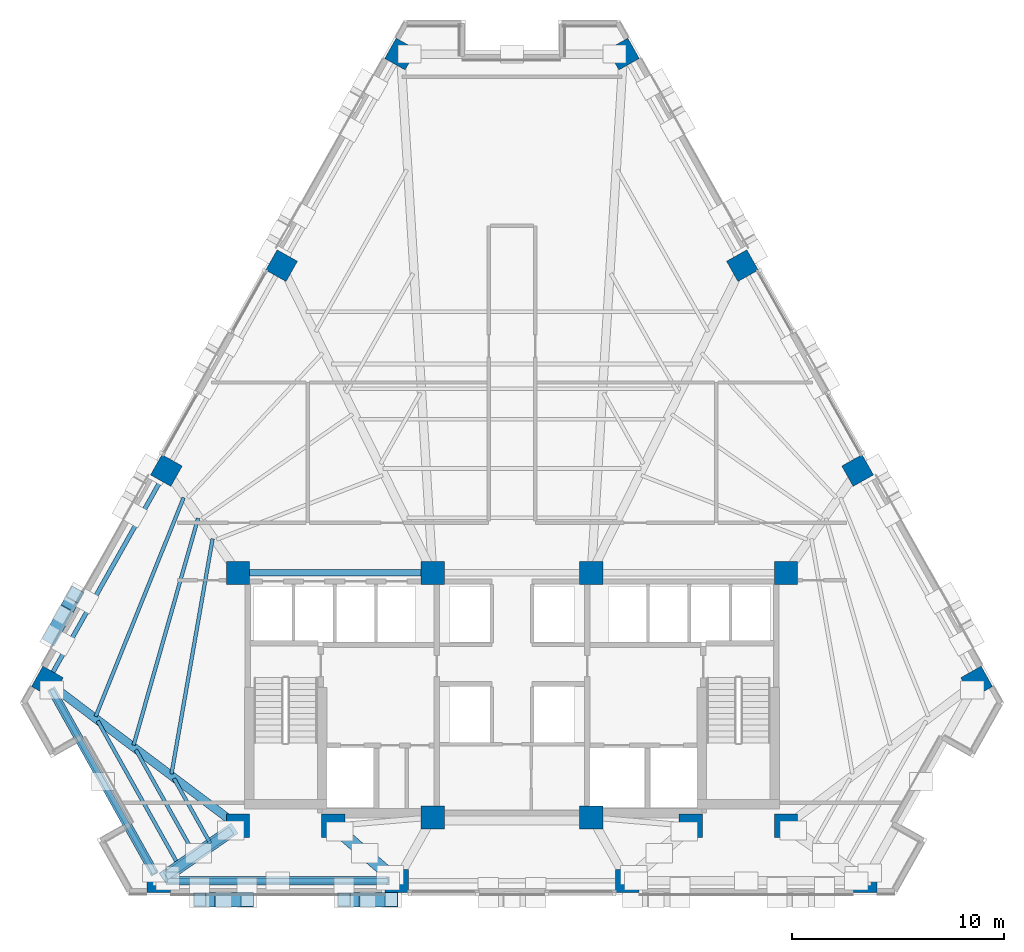
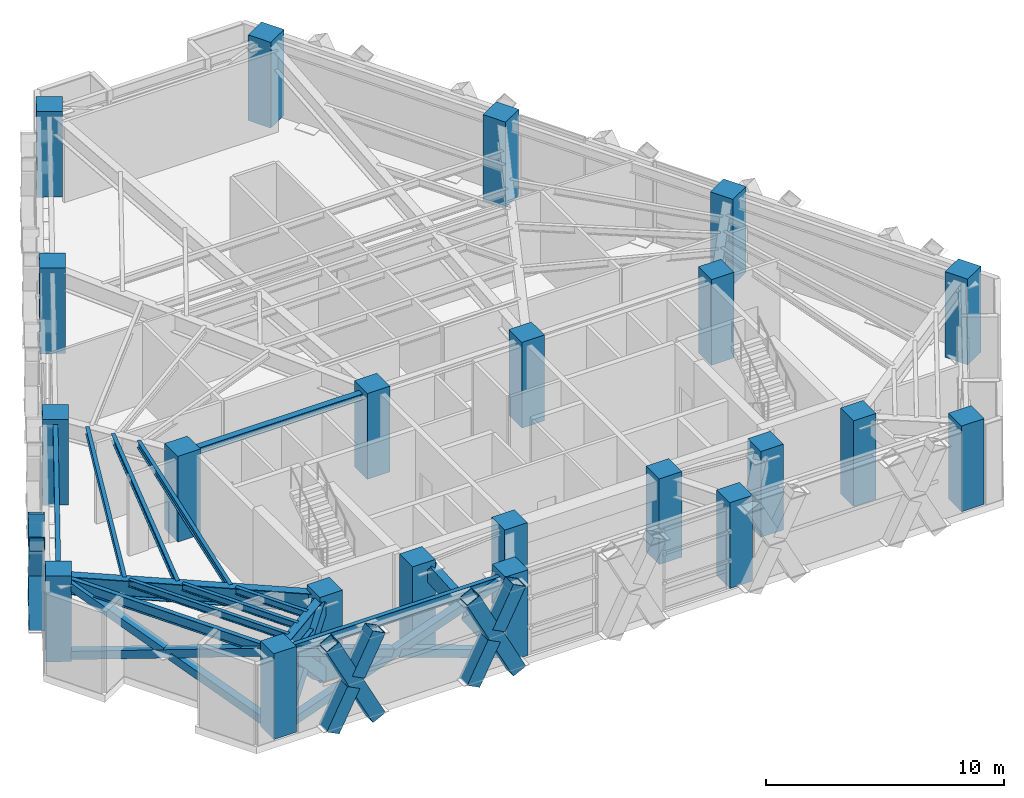
# One storey, part 1 of 12: 22 columns, 20 members, 12 beams.
"""IFC4 building model written with IfcOpenShell, lengths in metres."""

from ifc_helpers import new_model, si_unit, direction, frame, origin, origin_2d, place, context, subcontext, project, spatial, rectangle, hollow_rectangle, i_section, extrude, material, material_profile, profile_set, type_object, element, save


model = new_model("IFC4")

# Units and contexts
model_context = context("Model", 3, precision=1e-05, world=origin(), true_north=direction((0.0, 1.0)))
body_context = subcontext(model_context, "Body", "Model", "MODEL_VIEW")
ifc_project = project(units=[si_unit("LENGTHUNIT", "METRE"), si_unit("AREAUNIT", "SQUARE_METRE"), si_unit("VOLUMEUNIT", "CUBIC_METRE"), si_unit("PLANEANGLEUNIT", "RADIAN"), si_unit("MASSUNIT", "GRAM", prefix="KILO")], contexts=[model_context])

# Site, building, storey
site_placement = place(None, origin())
site = spatial("IfcSite", under=ifc_project, at=site_placement, CompositionType="ELEMENT")
building_placement = place(site_placement, origin())
building = spatial("IfcBuilding", under=site, at=building_placement, Name="Quenlor Broadcast Tower", CompositionType="ELEMENT")
storey_placement = place(building_placement, frame((0.0, 0.0, 90.60009765625)))
storey = spatial("IfcBuildingStorey", under=building, at=storey_placement, Name="L24", CompositionType="ELEMENT", Elevation=90.60009765625)

# Columns
ifc_material_1 = material(Name="Concrete C65/80", Category="concrete")
ifc_material_profile_1 = material_profile(ifc_material_1, rectangle(XDim=1.10009765625, YDim=1.10009765625, at=origin_2d()))
ifc_profile_set_1 = profile_set([ifc_material_profile_1], Name="Concrete C65/80 RC1100x1100")
column_type_1 = type_object("IfcColumnType", Name="Core Corner Column Mid Concrete C65/80 1100", PredefinedType="COLUMN", material=ifc_profile_set_1)
for number, where, z_axis, x_axis, name in (
    (1, (-12.949951171875, -16.75, 0.0), (0.0, 0.0, 1.0), (1.0, 0.0, 0.0), "L24 Core Column CC1"),
    (2, (-8.449951171875, -16.75, 0.0), (0.0, 0.0, 1.0), (1.0, 0.0, 0.0), "L24 Core Column CC2"),
    (3, (-3.75, -16.35009765625, 0.0), (0.0, 0.0, 1.0), (1.0, 0.0, 0.0), "L24 Core Column CC3"),
    (4, (3.75, -16.35009765625, 0.0), (0.0, 0.0, 1.0), (1.0, 0.0, 0.0), "L24 Core Column CC4"),
    (5, (8.449951171875, -16.75, 0.0), (0.0, 0.0, 1.0), (1.0, 0.0, 0.0), "L24 Core Column CC5"),
    (6, (12.949951171875, -16.75, 0.0), (0.0, 0.0, 1.0), (1.0, 0.0, 0.0), "L24 Core Column CC6"),
    (7, (-12.949951171875, -4.800048828125, 0.0), (0.0, 0.0, 1.0), (1.0, 0.0, 0.0), "L24 Core Column CC7"),
    (8, (-3.75, -4.800048828125, 0.0), (0.0, 0.0, 1.0), (1.0, 0.0, 0.0), "L24 Core Column CC8"),
    (9, (3.75, -4.800048828125, 0.0), (0.0, 0.0, 1.0), (1.0, 0.0, 0.0), "L24 Core Column CC9"),
    (10, (12.949951171875, -4.800048828125, 0.0), (0.0, 0.0, 1.0), (1.0, 0.0, 0.0), "L24 Core Column CC10"),
):
    element("IfcColumn", number, at=place(storey_placement, frame(where, z_axis=z_axis, x_axis=x_axis)), inside=storey, type_object=column_type_1, Name=name, PredefinedType="COLUMN", context=body_context, shape_type="SweptSolid", body=[
        extrude(rectangle(XDim=1.10009765625, YDim=1.10009765625, at=origin_2d()), origin(), (0.0, 0.0, 1.0), 4.39990234375),
    ])
ifc_material_2 = material(Name="Concrete C65/80", Category="concrete")
ifc_material_profile_2 = material_profile(ifc_material_2, rectangle(XDim=1.10009765625, YDim=1.10009765625, at=origin_2d()))
ifc_profile_set_2 = profile_set([ifc_material_profile_2], Name="Concrete C65/80 RC1100x1100")
column_type_2 = type_object("IfcColumnType", Name="Tower Perimeter Column Z2 Concrete C65/80 1100", PredefinedType="COLUMN", material=ifc_profile_set_2)
for number, where, z_axis, x_axis, name in (
    (11, (-16.6923828125, -19.35009765625, 0.0), (0.0, 0.0, 1.0), (0.0, 1.0, 0.0), "L24 Perimeter Column S1"),
    (12, (-5.443115234375, -19.35009765625, 0.0), (0.0, 0.0, 1.0), (0.0, 1.0, 0.0), "L24 Perimeter Column S2"),
    (13, (5.443115234375, -19.35009765625, 0.0), (0.0, 0.0, 1.0), (0.0, 1.0, 0.0), "L24 Perimeter Column S3"),
    (14, (16.6923828125, -19.35009765625, 0.0), (0.0, 0.0, 1.0), (0.0, 1.0, 0.0), "L24 Perimeter Column S4"),
    (15, (21.95458984375, -9.95654296875, 0.0), (0.0, 0.0, 1.0), (0.871575139605, 0.490261946333, 0.0), "L24 Perimeter Column NE1"),
    (16, (16.330078125, 0.04296875, 0.0), (0.0, 0.0, 1.0), (0.871575139605, 0.490261946333, 0.0), "L24 Perimeter Column NE2"),
    (17, (10.886962890625, 9.7197265625, 0.0), (0.0, 0.0, 1.0), (0.871575139605, 0.490261946333, 0.0), "L24 Perimeter Column NE3"),
    (18, (5.26220703125, 19.718994140625, 0.0), (0.0, 0.0, 1.0), (0.871575139605, 0.490261946333, 0.0), "L24 Perimeter Column NE4"),
    (19, (-5.26220703125, 19.718994140625, 0.0), (0.0, 0.0, 1.0), (-0.871575139605, 0.490261946333, 0.0), "L24 Perimeter Column NW1"),
    (20, (-10.886962890625, 9.7197265625, 0.0), (0.0, 0.0, 1.0), (-0.871575139605, 0.490261946333, 0.0), "L24 Perimeter Column NW2"),
    (21, (-16.330078125, 0.04296875, 0.0), (0.0, 0.0, 1.0), (-0.871575139605, 0.490261946333, 0.0), "L24 Perimeter Column NW3"),
    (22, (-21.95458984375, -9.95654296875, 0.0), (0.0, 0.0, 1.0), (-0.871575139605, 0.490261946333, 0.0), "L24 Perimeter Column NW4"),
):
    element("IfcColumn", number, at=place(storey_placement, frame(where, z_axis=z_axis, x_axis=x_axis)), inside=storey, type_object=column_type_2, Name=name, PredefinedType="COLUMN", context=body_context, shape_type="SweptSolid", body=[
        extrude(rectangle(XDim=1.10009765625, YDim=1.10009765625, at=origin_2d()), origin(), (0.0, 0.0, 1.0), 4.39990234375),
    ])

# Members
ifc_material_3 = material(Name="Steel S355", Category="steel")
ifc_material_profile_3 = material_profile(ifc_material_3, hollow_rectangle(XDim=0.39990234375, YDim=0.39990234375, WallThickness=0.02197265625, at=origin_2d()))
ifc_profile_set_3 = profile_set([ifc_material_profile_3], Name="Steel S355 RHS400x400x22")
member_type_1 = type_object("IfcMemberType", Name="Belt Truss Diagonal Chord Steel S355 RHS400x22", PredefinedType="CHORD", material=ifc_profile_set_3)
member_1_placement = place(storey_placement, frame((-16.2724609375, -19.35009765625, 0.199951171875), z_axis=(0.941385713687, 0.0, 0.337332088698), x_axis=(0.0, 1.0, 0.0)))
element("IfcMember", 23, at=member_1_placement, inside=storey, type_object=member_type_1, Name="L24 Belt Truss Continuous Chord 1A", PredefinedType="CHORD", context=body_context, shape_type="SweptSolid", body=[
    extrude(hollow_rectangle(XDim=0.39990234375, YDim=0.39990234375, WallThickness=0.02197265625, at=origin_2d()), origin(), (0.0, 0.0, 1.0), 11.057373046875),
])
member_2_placement = place(storey_placement, frame((-16.2724609375, -19.35009765625, 3.929931640625), z_axis=(0.941381332152, 0.0, -0.337344315908), x_axis=(0.0, 1.0, 0.0)))
element("IfcMember", 24, at=member_2_placement, inside=storey, type_object=member_type_1, Name="L24 Belt Truss Split Chord 1B1", PredefinedType="CHORD", context=body_context, shape_type="SweptSolid", body=[
    extrude(hollow_rectangle(XDim=0.39990234375, YDim=0.39990234375, WallThickness=0.02197265625, at=origin_2d()), origin(), (0.0, 0.0, 1.0), 5.3388671875),
])
member_3_placement = place(storey_placement, frame((-10.888916015625, -19.35009765625, 2.000732421875), z_axis=(0.941390650506, 0.0, -0.337318311301), x_axis=(0.0, 1.0, 0.0)))
element("IfcMember", 25, at=member_3_placement, inside=storey, type_object=member_type_1, Name="L24 Belt Truss Split Chord 1B2", PredefinedType="CHORD", context=body_context, shape_type="SweptSolid", body=[
    extrude(hollow_rectangle(XDim=0.39990234375, YDim=0.39990234375, WallThickness=0.02197265625, at=origin_2d()), origin(), (0.0, 0.0, 1.0), 5.338623046875),
])
member_4_placement = place(storey_placement, frame((-21.74951171875, -10.322998046875, 0.199951171875), z_axis=(0.457514984103, -0.816680246871, 0.351729176628), x_axis=(0.872426742385, 0.48874490194, 0.0)))
element("IfcMember", 26, at=member_4_placement, inside=storey, type_object=member_type_1, Name="L24 Belt Truss Continuous Chord 12A", PredefinedType="CHORD", context=body_context, shape_type="SweptSolid", body=[
    extrude(hollow_rectangle(XDim=0.39990234375, YDim=0.39990234375, WallThickness=0.02197265625, at=origin_2d()), origin(), (0.0, 0.0, 1.0), 10.604736328125),
])
member_5_placement = place(storey_placement, frame((-21.74951171875, -10.322998046875, 3.929931640625), z_axis=(0.457538002026, -0.816653519742, -0.351761290358), x_axis=(0.87240943681, 0.488775791713, 0.0)))
element("IfcMember", 27, at=member_5_placement, inside=storey, type_object=member_type_1, Name="L24 Belt Truss Split Chord 12B1", PredefinedType="CHORD", context=body_context, shape_type="SweptSolid", body=[
    extrude(hollow_rectangle(XDim=0.39990234375, YDim=0.39990234375, WallThickness=0.02197265625, at=origin_2d()), origin(), (0.0, 0.0, 1.0), 5.1123046875),
])
member_6_placement = place(storey_placement, frame((-19.23681640625, -14.808349609375, 1.998046875), z_axis=(0.457527843612, -0.816683141785, -0.351705726772), x_axis=(0.872421623598, 0.488754039042, 0.0)))
element("IfcMember", 28, at=member_6_placement, inside=storey, type_object=member_type_1, Name="L24 Belt Truss Split Chord 12B2", PredefinedType="CHORD", context=body_context, shape_type="SweptSolid", body=[
    extrude(hollow_rectangle(XDim=0.39990234375, YDim=0.39990234375, WallThickness=0.02197265625, at=origin_2d()), origin(), (0.0, 0.0, 1.0), 5.112548828125),
])

# Beam
ifc_material_4 = material(Name="Steel S355", Category="steel")
ifc_material_profile_4 = material_profile(ifc_material_4, i_section(OverallWidth=0.306884765625, OverallDepth=0.314697265625, WebThickness=0.011962890625, FlangeThickness=0.018798828125, FilletRadius=0.0166015625, at=origin_2d()))
ifc_profile_set_4 = profile_set([ifc_material_profile_4], Name="Steel S355 310UC118")
beam_type_1 = type_object("IfcBeamType", Name="Core Tie Beam Steel S355 310UC118", PredefinedType="BEAM", material=ifc_profile_set_4)
beam_1_placement = place(storey_placement, frame((-12.590087890625, -4.800048828125, 3.99267578125), z_axis=(1.0, 0.0, 0.0), x_axis=(0.0, 1.0, 0.0)))
element("IfcBeam", 29, at=beam_1_placement, inside=storey, type_object=beam_type_1, Name="L24 Core Tie Beam 1", PredefinedType="BEAM", context=body_context, shape_type="SweptSolid", body=[
    extrude(i_section(OverallWidth=0.306884765625, OverallDepth=0.314697265625, WebThickness=0.011962890625, FlangeThickness=0.018798828125, FilletRadius=0.0166015625, at=origin_2d()), origin(), (0.0, 0.0, 1.0), 8.47998046875),
])

# Members
ifc_material_5 = material(Name="Steel S355", Category="steel")
ifc_material_profile_5 = material_profile(ifc_material_5, hollow_rectangle(XDim=0.60009765625, YDim=0.60009765625, WallThickness=0.031982421875, at=origin_2d()))
ifc_profile_set_5 = profile_set([ifc_material_profile_5], Name="Steel S355 RHS600x600x32")
member_type_2 = type_object("IfcMemberType", Name="Lower Outrigger Truss Strut Steel S355 RHS600x32", PredefinedType="STRUT", material=ifc_profile_set_5)
member_7_placement = place(storey_placement, frame((-13.278564453125, -16.978271484375, 0.199951171875), z_axis=(-0.58127317995, -0.403807070281, 0.706442736718), x_axis=(0.570534149047, -0.82127387927, 0.0)))
element("IfcMember", 30, at=member_7_placement, inside=storey, type_object=member_type_2, Name="L24 Outrigger Continuous Strut 1A", PredefinedType="STRUT", context=body_context, shape_type="SweptSolid", body=[
    extrude(hollow_rectangle(XDim=0.60009765625, YDim=0.60009765625, WallThickness=0.031982421875, at=origin_2d()), origin(), (0.0, 0.0, 1.0), 5.280029296875),
])
for number, where, z_axis, x_axis, name in (
    (31, (-13.278564453125, -16.978271484375, 3.929931640625), (-0.581284052979, -0.403764310158, -0.706458230609), (0.570486199222, -0.821307187657, 0.0), "L24 Outrigger Split Strut 1B1"),
    (32, (-14.975830078125, -18.157470703125, 1.8671875), (-0.581284052979, -0.403764310158, -0.706458230609), (0.570486199222, -0.821307187657, 0.0), "L24 Outrigger Split Strut 1B2"),
):
    element("IfcMember", number, at=place(storey_placement, frame(where, z_axis=z_axis, x_axis=x_axis)), inside=storey, type_object=member_type_2, Name=name, PredefinedType="STRUT", context=body_context, shape_type="SweptSolid", body=[
        extrude(hollow_rectangle(XDim=0.60009765625, YDim=0.60009765625, WallThickness=0.031982421875, at=origin_2d()), origin(), (0.0, 0.0, 1.0), 2.360107421875),
    ])
for number, where, z_axis, x_axis, name in (
    (33, (-8.1474609375, -17.01171875, 3.929931640625), (0.488572495158, -0.422421043642, -0.763450966902), (0.654038422447, 0.756461328795, 0.0), "L24 Outrigger Split Strut 3B1"),
    (34, (-6.8173828125, -18.16162109375, 1.85107421875), (0.488486547952, -0.422444340753, -0.763493072291), (0.654124904388, 0.756386547645, 0.0), "L24 Outrigger Split Strut 3B2"),
):
    element("IfcMember", number, at=place(storey_placement, frame(where, z_axis=z_axis, x_axis=x_axis)), inside=storey, type_object=member_type_2, Name=name, PredefinedType="STRUT", context=body_context, shape_type="SweptSolid", body=[
        extrude(hollow_rectangle(XDim=0.60009765625, YDim=0.60009765625, WallThickness=0.031982421875, at=origin_2d()), origin(), (0.0, 0.0, 1.0), 2.16259765625),
    ])

# Beams
ifc_material_6 = material(Name="Steel S355", Category="steel")
ifc_material_profile_6 = material_profile(ifc_material_6, i_section(OverallWidth=0.39990234375, OverallDepth=0.924072265625, WebThickness=0.01611328125, FlangeThickness=0.028076171875, FilletRadius=0.01611328125, at=origin_2d()))
ifc_profile_set_6 = profile_set([ifc_material_profile_6], Name="Steel S355 900WB282")
beam_type_2 = type_object("IfcBeamType", Name="Outrigger Level Collector Girder Steel S355 900WB282", PredefinedType="BEAM", material=ifc_profile_set_6)
beam_2_placement = place(storey_placement, frame((-16.355712890625, -19.1162109375, 3.68798828125), z_axis=(0.821227395059, 0.570601056436, 0.0), x_axis=(-0.570601056436, 0.821227395059, 0.0)))
element("IfcBeam", 35, at=beam_2_placement, inside=storey, type_object=beam_type_2, Name="L24 Primary Radial Beam S1", PredefinedType="BEAM", context=body_context, shape_type="SweptSolid", body=[
    extrude(i_section(OverallWidth=0.39990234375, OverallDepth=0.924072265625, WebThickness=0.01611328125, FlangeThickness=0.028076171875, FilletRadius=0.01611328125, at=origin_2d()), origin(), (0.0, 0.0, 1.0), 3.766845703125),
])
beam_3_placement = place(storey_placement, frame((-21.62744140625, -10.203369140625, 3.68798828125), z_axis=(0.798298724007, -0.602261693327, 0.0), x_axis=(0.602261693327, 0.798298724007, 0.0)))
element("IfcBeam", 36, at=beam_3_placement, inside=storey, type_object=beam_type_2, Name="L24 Primary Radial Beam NW4", PredefinedType="BEAM", context=body_context, shape_type="SweptSolid", body=[
    extrude(i_section(OverallWidth=0.39990234375, OverallDepth=0.924072265625, WebThickness=0.01611328125, FlangeThickness=0.028076171875, FilletRadius=0.01611328125, at=origin_2d()), origin(), (0.0, 0.0, 1.0), 10.48974609375),
])

# Members
ifc_material_7 = material(Name="Steel S355", Category="steel")
ifc_material_profile_7 = material_profile(ifc_material_7, hollow_rectangle(XDim=0.679931640625, YDim=0.679931640625, WallThickness=0.030029296875, at=origin_2d()))
ifc_profile_set_7 = profile_set([ifc_material_profile_7], Name="Steel S355 RHS680x680x30")
member_type_3 = type_object("IfcMemberType", Name="Perimeter Diagonal Lattice Brace Z2 Steel S355 RHS680x30", PredefinedType="BRACE", material=ifc_profile_set_7)
member_8_placement = place(storey_placement, frame((-5.695068359375, -20.235107421875, -0.1201171875), z_axis=(-0.454513559564, 0.0, 0.89073981845), x_axis=(0.0, -1.0, 0.0)))
element("IfcMember", 37, at=member_8_placement, inside=storey, type_object=member_type_3, Name="L24 Perimeter Diamond Lattice S-C4XA", PredefinedType="BRACE", context=body_context, shape_type="SweptSolid", body=[
    extrude(hollow_rectangle(XDim=0.679931640625, YDim=0.679931640625, WallThickness=0.030029296875, at=origin_2d()), origin(), (0.0, 0.0, 1.0), 4.939697265625),
])
for number, where, z_axis, x_axis, name in (
    (38, (-7.940185546875, -20.235107421875, -0.1201171875), (0.454545137754, 0.0, 0.890723704492), (0.0, 1.0, 0.0), "L24 Perimeter Diamond Lattice S-C4XB1"),
    (39, (-6.7041015625, -20.235107421875, 2.302490234375), (0.454545137754, 0.0, 0.890723704492), (0.0, 1.0, 0.0), "L24 Perimeter Diamond Lattice S-C4XB2"),
):
    element("IfcMember", number, at=place(storey_placement, frame(where, z_axis=z_axis, x_axis=x_axis)), inside=storey, type_object=member_type_3, Name=name, PredefinedType="BRACE", context=body_context, shape_type="SweptSolid", body=[
        extrude(hollow_rectangle(XDim=0.679931640625, YDim=0.679931640625, WallThickness=0.030029296875, at=origin_2d()), origin(), (0.0, 0.0, 1.0), 2.219970703125),
    ])
member_9_placement = place(storey_placement, frame((-12.5126953125, -20.235107421875, -0.1201171875), z_axis=(-0.454513559564, 0.0, 0.89073981845), x_axis=(0.0, -1.0, 0.0)))
element("IfcMember", 40, at=member_9_placement, inside=storey, type_object=member_type_3, Name="L24 Perimeter Diamond Lattice S-C5XA", PredefinedType="BRACE", context=body_context, shape_type="SweptSolid", body=[
    extrude(hollow_rectangle(XDim=0.679931640625, YDim=0.679931640625, WallThickness=0.030029296875, at=origin_2d()), origin(), (0.0, 0.0, 1.0), 4.939697265625),
])
member_10_placement = place(storey_placement, frame((-14.7578125, -20.235107421875, -0.1201171875), z_axis=(0.454545137754, 0.0, 0.890723704492), x_axis=(0.0, 1.0, 0.0)))
element("IfcMember", 41, at=member_10_placement, inside=storey, type_object=member_type_3, Name="L24 Perimeter Diamond Lattice S-C5XB1", PredefinedType="BRACE", context=body_context, shape_type="SweptSolid", body=[
    extrude(hollow_rectangle(XDim=0.679931640625, YDim=0.679931640625, WallThickness=0.030029296875, at=origin_2d()), origin(), (0.0, 0.0, 1.0), 2.219970703125),
])
member_11_placement = place(storey_placement, frame((-13.521484375, -20.235107421875, 2.302490234375), z_axis=(0.454457874742, 0.0, 0.890768230285), x_axis=(0.0, 1.0, 0.0)))
element("IfcMember", 42, at=member_11_placement, inside=storey, type_object=member_type_3, Name="L24 Perimeter Diamond Lattice S-C5XB2", PredefinedType="BRACE", context=body_context, shape_type="SweptSolid", body=[
    extrude(hollow_rectangle(XDim=0.679931640625, YDim=0.679931640625, WallThickness=0.030029296875, at=origin_2d()), origin(), (0.0, 0.0, 1.0), 2.2197265625),
])
member_12_placement = place(storey_placement, frame((-21.76806640625, -7.8193359375, -0.1201171875), z_axis=(0.22659922963, 0.402761062871, 0.886812446556), x_axis=(-0.871532878923, 0.490337068716, 0.0)))
element("IfcMember", 43, at=member_12_placement, inside=storey, type_object=member_type_3, Name="L24 Perimeter Diamond Lattice NW-C1XA", PredefinedType="BRACE", context=body_context, shape_type="SweptSolid", body=[
    extrude(hollow_rectangle(XDim=0.679931640625, YDim=0.679931640625, WallThickness=0.030029296875, at=origin_2d()), origin(), (0.0, 0.0, 1.0), 4.96142578125),
])
for number, where, z_axis, x_axis, name in (
    (44, (-20.643798828125, -5.821044921875, -0.1201171875), (-0.226653660987, -0.402745278817, 0.886805704961), (0.871474328146, -0.490441123258, 0.0), "L24 Perimeter Diamond Lattice NW-C1XB1"),
    (45, (-21.2626953125, -6.9208984375, 2.301513671875), (-0.226549837696, -0.402755267015, 0.886827697995), (0.871575537125, -0.490261239633, 0.0), "L24 Perimeter Diamond Lattice NW-C1XB2"),
):
    element("IfcMember", number, at=place(storey_placement, frame(where, z_axis=z_axis, x_axis=x_axis)), inside=storey, type_object=member_type_3, Name=name, PredefinedType="BRACE", context=body_context, shape_type="SweptSolid", body=[
        extrude(hollow_rectangle(XDim=0.679931640625, YDim=0.679931640625, WallThickness=0.030029296875, at=origin_2d()), origin(), (0.0, 0.0, 1.0), 2.230712890625),
    ])

# Beams
ifc_material_8 = material(Name="Steel S355", Category="steel")
ifc_material_profile_8 = material_profile(ifc_material_8, i_section(OverallWidth=0.208984375, OverallDepth=0.5283203125, WebThickness=0.009521484375, FlangeThickness=0.01318359375, FilletRadius=0.013916015625, at=origin_2d()))
ifc_profile_set_8 = profile_set([ifc_material_profile_8], Name="Steel S355 530UB82.0")
beam_type_3 = type_object("IfcBeamType", Name="Perimeter Spandrel Beam Z2 Steel S355 530UB82.0", PredefinedType="SPANDREL", material=ifc_profile_set_8)
beam_4_placement = place(storey_placement, frame((-16.282470703125, -19.35009765625, 3.8857421875), z_axis=(1.0, 0.0, 0.0), x_axis=(0.0, 1.0, 0.0)))
element("IfcBeam", 46, at=beam_4_placement, inside=storey, type_object=beam_type_3, Name="L24 Spandrel Beam S1-S2", PredefinedType="SPANDREL", context=body_context, shape_type="SweptSolid", body=[
    extrude(i_section(OverallWidth=0.208984375, OverallDepth=0.5283203125, WebThickness=0.009521484375, FlangeThickness=0.01318359375, FilletRadius=0.013916015625, at=origin_2d()), origin(), (0.0, 0.0, 1.0), 10.42919921875),
])
beam_5_placement = place(storey_placement, frame((-16.531005859375, -0.314453125, 3.8857421875), z_axis=(-0.490263415828, -0.871574313011, 0.0), x_axis=(0.871574313011, -0.490263415828, 0.0)))
element("IfcBeam", 47, at=beam_5_placement, inside=storey, type_object=beam_type_3, Name="L24 Spandrel Beam NW3-NW4", PredefinedType="SPANDREL", context=body_context, shape_type="SweptSolid", body=[
    extrude(i_section(OverallWidth=0.208984375, OverallDepth=0.5283203125, WebThickness=0.009521484375, FlangeThickness=0.01318359375, FilletRadius=0.013916015625, at=origin_2d()), origin(), (0.0, 0.0, 1.0), 10.65283203125),
])
beam_6_placement = place(storey_placement, frame((-21.75439453125, -10.314208984375, 3.8857421875), z_axis=(0.488749102779, -0.872424389006, 0.0), x_axis=(0.872424389006, 0.488749102779, 0.0)))
element("IfcBeam", 48, at=beam_6_placement, inside=storey, type_object=beam_type_3, Name="L24 Spandrel Beam NW4-S1", PredefinedType="SPANDREL", context=body_context, shape_type="SweptSolid", body=[
    extrude(i_section(OverallWidth=0.208984375, OverallDepth=0.5283203125, WebThickness=0.009521484375, FlangeThickness=0.01318359375, FilletRadius=0.013916015625, at=origin_2d()), origin(), (0.0, 0.0, 1.0), 9.947021484375),
])
ifc_material_9 = material(Name="Steel S355", Category="steel")
ifc_material_profile_9 = material_profile(ifc_material_9, i_section(OverallWidth=0.172119140625, OverallDepth=0.358642578125, WebThickness=0.008056640625, FlangeThickness=0.012939453125, FilletRadius=0.011474609375, at=origin_2d()))
ifc_profile_set_9 = profile_set([ifc_material_profile_9], Name="Steel S355 360UB56.7")
beam_type_4 = type_object("IfcBeamType", Name="Tower Composite Joist Z2-Z3 Steel S355 360UB56.7", PredefinedType="JOIST", material=ifc_profile_set_9)
beam_7_placement = place(storey_placement, frame((-16.087890625, -14.29345703125, 3.970703125), z_axis=(0.172120396521, 0.985075920476, 0.0), x_axis=(-0.985075920476, 0.172120396521, 0.0)))
element("IfcBeam", 49, at=beam_7_placement, inside=storey, type_object=beam_type_4, Name="L24 Secondary Composite Joist 13", PredefinedType="JOIST", context=body_context, shape_type="SweptSolid", body=[
    extrude(i_section(OverallWidth=0.172119140625, OverallDepth=0.358642578125, WebThickness=0.008056640625, FlangeThickness=0.012939453125, FilletRadius=0.011474609375, at=origin_2d()), origin(), (0.0, 0.0, 1.0), 11.27783203125),
])
beam_8_placement = place(storey_placement, frame((-17.880615234375, -12.9365234375, 3.970703125), z_axis=(0.273563993601, 0.96185380459, 0.0), x_axis=(-0.96185380459, 0.273563993601, 0.0)))
element("IfcBeam", 50, at=beam_8_placement, inside=storey, type_object=beam_type_4, Name="L24 Secondary Composite Joist 14", PredefinedType="JOIST", context=body_context, shape_type="SweptSolid", body=[
    extrude(i_section(OverallWidth=0.172119140625, OverallDepth=0.358642578125, WebThickness=0.008056640625, FlangeThickness=0.012939453125, FilletRadius=0.011474609375, at=origin_2d()), origin(), (0.0, 0.0, 1.0), 11.1484375),
])
beam_9_placement = place(storey_placement, frame((-19.673583984375, -11.580810546875, 3.970703125), z_axis=(0.373180395983, 0.92775880058, 0.0), x_axis=(-0.92775880058, 0.373180395983, 0.0)))
element("IfcBeam", 51, at=beam_9_placement, inside=storey, type_object=beam_type_4, Name="L24 Secondary Composite Joist 15", PredefinedType="JOIST", context=body_context, shape_type="SweptSolid", body=[
    extrude(i_section(OverallWidth=0.172119140625, OverallDepth=0.358642578125, WebThickness=0.008056640625, FlangeThickness=0.012939453125, FilletRadius=0.011474609375, at=origin_2d()), origin(), (0.0, 0.0, 1.0), 11.143798828125),
])
beam_10_placement = place(storey_placement, frame((-14.261474609375, -17.564208984375, 3.970703125), z_axis=(-0.488730779643, 0.87243465373, 0.0), x_axis=(-0.87243465373, -0.488730779643, 0.0)))
element("IfcBeam", 52, at=beam_10_placement, inside=storey, type_object=beam_type_4, Name="L24 Secondary Composite Joist 19", PredefinedType="JOIST", context=body_context, shape_type="SweptSolid", body=[
    extrude(i_section(OverallWidth=0.172119140625, OverallDepth=0.358642578125, WebThickness=0.008056640625, FlangeThickness=0.012939453125, FilletRadius=0.011474609375, at=origin_2d()), origin(), (0.0, 0.0, 1.0), 3.500732421875),
])
beam_11_placement = place(storey_placement, frame((-15.010009765625, -18.084228515625, 3.970703125), z_axis=(-0.488741419435, 0.87242869332, 0.0), x_axis=(-0.87242869332, -0.488741419435, 0.0)))
element("IfcBeam", 53, at=beam_11_placement, inside=storey, type_object=beam_type_4, Name="L24 Secondary Composite Joist 20", PredefinedType="JOIST", context=body_context, shape_type="SweptSolid", body=[
    extrude(i_section(OverallWidth=0.172119140625, OverallDepth=0.358642578125, WebThickness=0.008056640625, FlangeThickness=0.012939453125, FilletRadius=0.011474609375, at=origin_2d()), origin(), (0.0, 0.0, 1.0), 5.654052734375),
])
beam_12_placement = place(storey_placement, frame((-15.758544921875, -18.604248046875, 3.970703125), z_axis=(-0.488732857155, 0.872433489922, 0.0), x_axis=(-0.872433489922, -0.488732857155, 0.0)))
element("IfcBeam", 54, at=beam_12_placement, inside=storey, type_object=beam_type_4, Name="L24 Secondary Composite Joist 21", PredefinedType="JOIST", context=body_context, shape_type="SweptSolid", body=[
    extrude(i_section(OverallWidth=0.172119140625, OverallDepth=0.358642578125, WebThickness=0.008056640625, FlangeThickness=0.012939453125, FilletRadius=0.011474609375, at=origin_2d()), origin(), (0.0, 0.0, 1.0), 7.807861328125),
])

save(model, "model.ifc")
